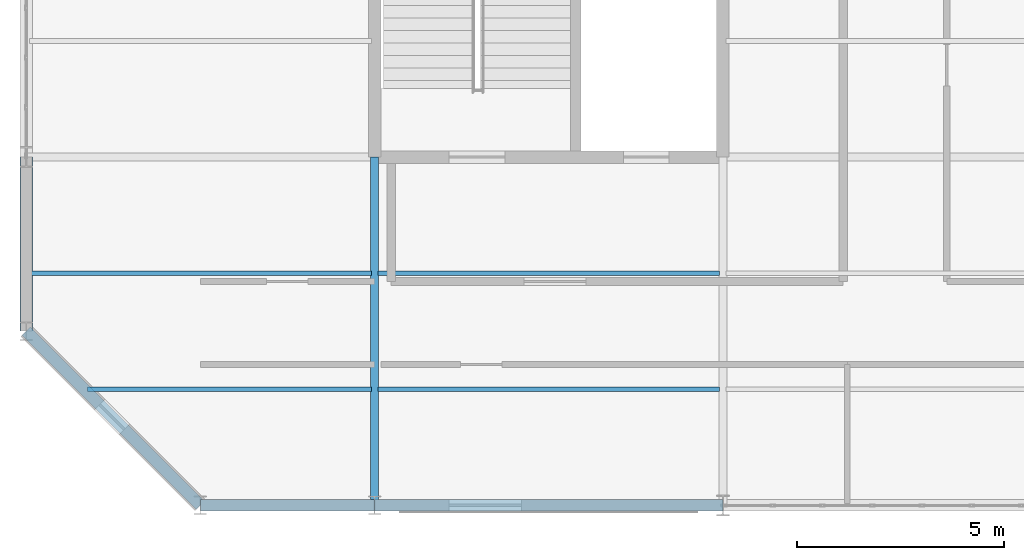
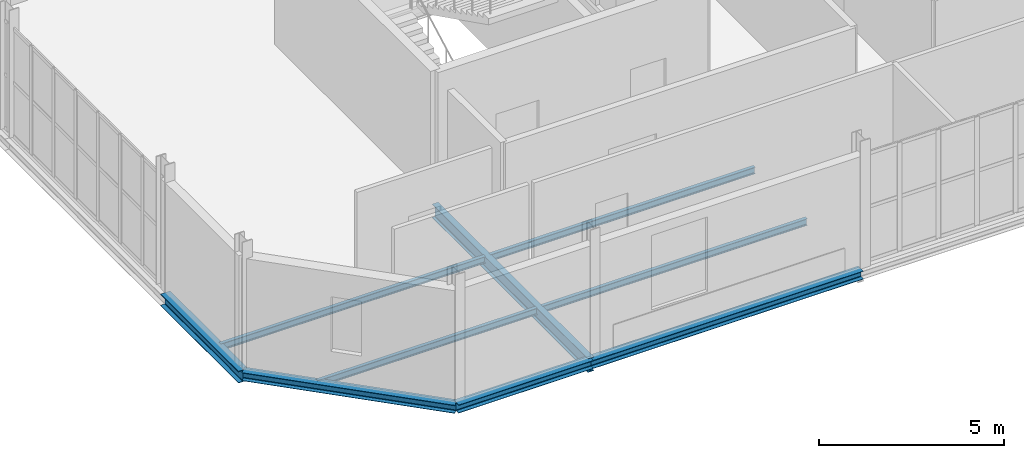
# One storey, part 14 of 65: 9 beams.
"""IFC4 building model written with IfcOpenShell, lengths in metres."""

from ifc_helpers import new_model, si_unit, direction, frame, origin, origin_2d, place, context, subcontext, project, spatial, i_section, extrude, material, material_profile, profile_set, type_object, element, save


model = new_model("IFC4")

# Units and contexts
model_context = context("Model", 3, precision=1e-05, world=origin(), true_north=direction((0.0, 1.0)))
body_context = subcontext(model_context, "Body", "Model", "MODEL_VIEW")
ifc_project = project(units=[si_unit("LENGTHUNIT", "METRE"), si_unit("AREAUNIT", "SQUARE_METRE"), si_unit("VOLUMEUNIT", "CUBIC_METRE"), si_unit("PLANEANGLEUNIT", "RADIAN"), si_unit("MASSUNIT", "GRAM", prefix="KILO")], contexts=[model_context])

# Site, building, storey
site_placement = place(None, origin())
site = spatial("IfcSite", under=ifc_project, at=site_placement, CompositionType="ELEMENT")
building_placement = place(site_placement, origin())
building = spatial("IfcBuilding", under=site, at=building_placement, Name="Qalvenar Corner Mobility Hub", CompositionType="ELEMENT")
storey_placement = place(building_placement, frame((0.0, 0.0, 17.39990234375)))
storey = spatial("IfcBuildingStorey", under=building, at=storey_placement, Name="L04", CompositionType="ELEMENT", Elevation=17.39990234375)

# Beams
ifc_material = material(Name="Steel S355", Category="steel")
ifc_material_profile_1 = material_profile(ifc_material, i_section(OverallWidth=0.18994140625, OverallDepth=0.449951171875, WebThickness=0.009521484375, FlangeThickness=0.0146484375, FilletRadius=0.02099609375, at=origin_2d()), Name="IPE450")
ifc_profile_set_1 = profile_set([ifc_material_profile_1], Name="Steel S355")
beam_type_1 = type_object("IfcBeamType", Name="BM-IPE450", PredefinedType="BEAM", material=ifc_profile_set_1)
beam_1_placement = place(storey_placement, frame((8.39990234375, 0.0, -0.40478515625), z_axis=(0.0, 1.0, 0.0), x_axis=(-1.0, 0.0, 0.0)))
element("IfcBeam", 1, at=beam_1_placement, inside=storey, type_object=beam_type_1, Name="Primary Steel Girder GY-2632", PredefinedType="BEAM", context=body_context, shape_type="SweptSolid", body=[
    extrude(i_section(OverallWidth=0.18994140625, OverallDepth=0.449951171875, WebThickness=0.009521484375, FlangeThickness=0.0146484375, FilletRadius=0.02099609375, at=origin_2d()), origin(), (0.0, 0.0, 1.0), 8.39990234375),
])
ifc_material_profile_2 = material_profile(ifc_material, i_section(OverallWidth=0.110107421875, OverallDepth=0.219970703125, WebThickness=0.005859375, FlangeThickness=0.00927734375, FilletRadius=0.011962890625, at=origin_2d()), Name="IPE220")
ifc_profile_set_2 = profile_set([ifc_material_profile_2], Name="Steel S355")
beam_type_2 = type_object("IfcBeamType", Name="BM-JST220", PredefinedType="JOIST", material=ifc_profile_set_2)
beam_2_placement = place(storey_placement, frame((1.47802734375, 2.800048828125, -0.289794921875), z_axis=(1.0, 0.0, 0.0), x_axis=(0.0, 1.0, 0.0)))
element("IfcBeam", 2, at=beam_2_placement, inside=storey, type_object=beam_type_2, Name="Composite Floor Joist J-2663", PredefinedType="JOIST", context=body_context, shape_type="SweptSolid", body=[
    extrude(i_section(OverallWidth=0.110107421875, OverallDepth=0.219970703125, WebThickness=0.005859375, FlangeThickness=0.00927734375, FilletRadius=0.011962890625, at=origin_2d()), origin(), (0.0, 0.0, 1.0), 6.843994140625),
])
beam_3_placement = place(storey_placement, frame((0.077880859375, 5.60009765625, -0.289794921875), z_axis=(1.0, 0.0, 0.0), x_axis=(0.0, 1.0, 0.0)))
element("IfcBeam", 3, at=beam_3_placement, inside=storey, type_object=beam_type_2, Name="Composite Floor Joist J-2664", PredefinedType="JOIST", context=body_context, shape_type="SweptSolid", body=[
    extrude(i_section(OverallWidth=0.110107421875, OverallDepth=0.219970703125, WebThickness=0.005859375, FlangeThickness=0.00927734375, FilletRadius=0.011962890625, at=origin_2d()), origin(), (0.0, 0.0, 1.0), 8.244140625),
])
for number, where, z_axis, x_axis, name in (
    (4, (8.47802734375, 2.800048828125, -0.289794921875), (1.0, 0.0, 0.0), (0.0, 1.0, 0.0), "Composite Floor Joist J-2673"),
    (5, (8.47802734375, 5.60009765625, -0.289794921875), (1.0, 0.0, 0.0), (0.0, 1.0, 0.0), "Composite Floor Joist J-2674"),
):
    element("IfcBeam", number, at=place(storey_placement, frame(where, z_axis=z_axis, x_axis=x_axis)), inside=storey, type_object=beam_type_2, Name=name, PredefinedType="JOIST", context=body_context, shape_type="SweptSolid", body=[
        extrude(i_section(OverallWidth=0.110107421875, OverallDepth=0.219970703125, WebThickness=0.005859375, FlangeThickness=0.00927734375, FilletRadius=0.011962890625, at=origin_2d()), origin(), (0.0, 0.0, 1.0), 8.243896484375),
    ])
ifc_material_profile_3 = material_profile(ifc_material, i_section(OverallWidth=0.280029296875, OverallDepth=0.27001953125, WebThickness=0.008056640625, FlangeThickness=0.012939453125, FilletRadius=0.02392578125, at=origin_2d()), Name="HEA280")
ifc_profile_set_3 = profile_set([ifc_material_profile_3], Name="Steel S355")
beam_type_3 = type_object("IfcBeamType", Name="BM-SPN280", PredefinedType="SPANDREL", material=ifc_profile_set_3)
beam_4_placement = place(storey_placement, frame((4.199951171875, 0.0, -0.31494140625), z_axis=(1.0, 0.0, 0.0), x_axis=(0.0, 1.0, 0.0)))
element("IfcBeam", 6, at=beam_4_placement, inside=storey, type_object=beam_type_3, Name="Primary Steel Girder GX-2591", PredefinedType="SPANDREL", context=body_context, shape_type="SweptSolid", body=[
    extrude(i_section(OverallWidth=0.280029296875, OverallDepth=0.27001953125, WebThickness=0.008056640625, FlangeThickness=0.012939453125, FilletRadius=0.02392578125, at=origin_2d()), origin(), (0.0, 0.0, 1.0), 4.199951171875),
])
beam_5_placement = place(storey_placement, frame((8.39990234375, 0.0, -0.31494140625), z_axis=(1.0, 0.0, 0.0), x_axis=(0.0, 1.0, 0.0)))
element("IfcBeam", 7, at=beam_5_placement, inside=storey, type_object=beam_type_3, Name="Primary Steel Girder GX-2592", PredefinedType="SPANDREL", context=body_context, shape_type="SweptSolid", body=[
    extrude(i_section(OverallWidth=0.280029296875, OverallDepth=0.27001953125, WebThickness=0.008056640625, FlangeThickness=0.012939453125, FilletRadius=0.02392578125, at=origin_2d()), origin(), (0.0, 0.0, 1.0), 8.400146484375),
])
beam_6_placement = place(storey_placement, frame((4.199951171875, 0.0, -0.31494140625), z_axis=(-0.707106781187, 0.707106781187, 0.0), x_axis=(-0.707106781187, -0.707106781187, 0.0)))
element("IfcBeam", 8, at=beam_6_placement, inside=storey, type_object=beam_type_3, Name="Corner Splay Spandrel Girder GSPL-2662", PredefinedType="SPANDREL", context=body_context, shape_type="SweptSolid", body=[
    extrude(i_section(OverallWidth=0.280029296875, OverallDepth=0.27001953125, WebThickness=0.008056640625, FlangeThickness=0.012939453125, FilletRadius=0.02392578125, at=origin_2d()), origin(), (0.0, 0.0, 1.0), 5.939697265625),
])
ifc_material_profile_4 = material_profile(ifc_material, i_section(OverallWidth=0.300048828125, OverallDepth=0.389892578125, WebThickness=0.010986328125, FlangeThickness=0.01904296875, FilletRadius=0.027099609375, at=origin_2d()), Name="HEA400")
ifc_profile_set_4 = profile_set([ifc_material_profile_4], Name="Steel S355")
beam_type_4 = type_object("IfcBeamType", Name="BM-SPN400", PredefinedType="SPANDREL", material=ifc_profile_set_4)
beam_7_placement = place(storey_placement, frame((0.0, 4.199951171875, -0.375), z_axis=(0.0, 1.0, 0.0), x_axis=(-1.0, 0.0, 0.0)))
element("IfcBeam", 9, at=beam_7_placement, inside=storey, type_object=beam_type_4, Name="Primary Steel Girder GY-2627", PredefinedType="SPANDREL", context=body_context, shape_type="SweptSolid", body=[
    extrude(i_section(OverallWidth=0.300048828125, OverallDepth=0.389892578125, WebThickness=0.010986328125, FlangeThickness=0.01904296875, FilletRadius=0.027099609375, at=origin_2d()), origin(), (0.0, 0.0, 1.0), 4.199951171875),
])

save(model, "model.ifc")
